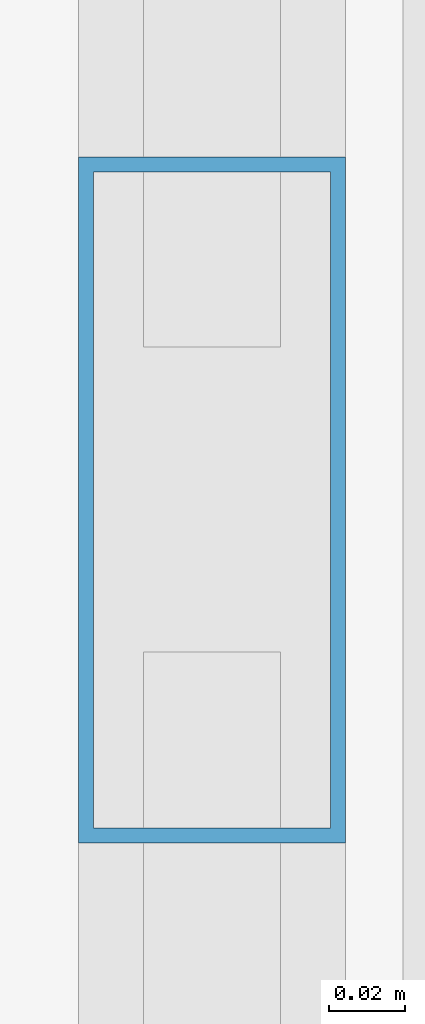
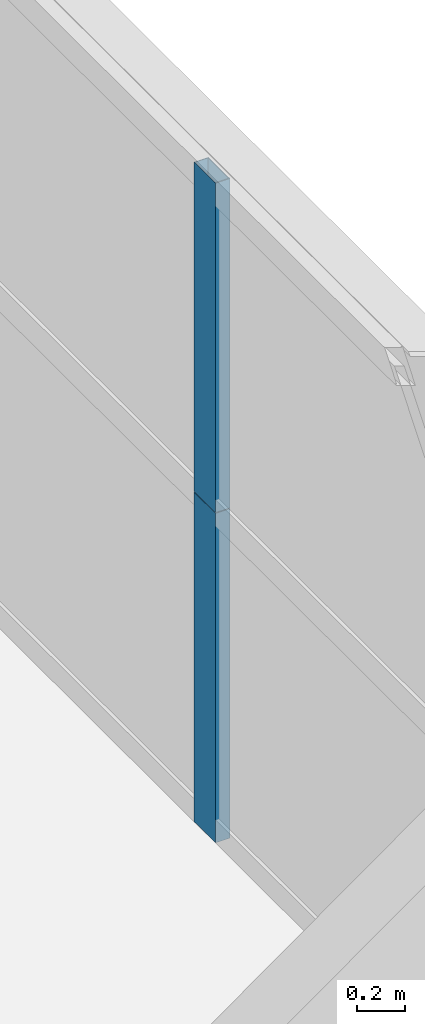
# One storey, part 32 of 43: 2 members, 1 element without a shape of its own.
"""IFC4 building model written with IfcOpenShell, lengths in metres."""

from ifc_helpers import new_model, si_unit, direction, frame, origin, origin_2d, place, context, subcontext, project, spatial, hollow_rectangle, extrude, source, transform, mapped, material, layer, layer_set, material_profile, profile_set, type_object, element, aggregate, save


model = new_model("IFC4")

# Units and contexts
model_context = context("Model", 3, precision=1e-05, world=origin(), true_north=direction((0.0, 1.0)))
body_context = subcontext(model_context, "Body", "Model", "MODEL_VIEW")
ifc_project = project(units=[si_unit("LENGTHUNIT", "METRE"), si_unit("AREAUNIT", "SQUARE_METRE"), si_unit("VOLUMEUNIT", "CUBIC_METRE"), si_unit("PLANEANGLEUNIT", "RADIAN"), si_unit("MASSUNIT", "GRAM", prefix="KILO"), si_unit("THERMODYNAMICTEMPERATUREUNIT", "KELVIN"), si_unit("POWERUNIT", "WATT")], contexts=[model_context])

# Site, building, storey
site_placement = place(None, origin())
site = spatial("IfcSite", under=ifc_project, at=site_placement, CompositionType="ELEMENT")
building_placement = place(site_placement, origin())
building = spatial("IfcBuilding", under=site, at=building_placement, Name="Yuzanri Waterfront Tower", CompositionType="ELEMENT")
storey_placement = place(building_placement, frame((0.0, 0.0, 64.0)))
storey = spatial("IfcBuildingStorey", under=building, at=storey_placement, Name="L16", CompositionType="ELEMENT", Elevation=64.0)

# Curtain wall, members
ifc_material_1 = material(Name="Anodized Architectural Bronze", Category="metal")
ifc_layer = layer(ifc_material_1, 0.159912109375)
ifc_layer_set = layer_set([ifc_layer], Name="Anodized Architectural Bronze")
curtain_wall_type = type_object("IfcCurtainWallType", Name="Anodized Bronze Hotel Lower-Tier Recessed Unitized Curtain Wall 8100", PredefinedType="NOTDEFINED", material=ifc_layer_set)
curtain_wall_placement = place(storey_placement, origin())
curtain_wall = element("IfcCurtainWall", 1, at=curtain_wall_placement, inside=storey, type_object=curtain_wall_type, Name="L16 Curtain Wall CW-L16-ER", PredefinedType="NOTDEFINED")
ifc_material_2 = material(Name="Anodized Architectural Bronze", Category="metal")
ifc_material_profile = material_profile(ifc_material_2, hollow_rectangle(XDim=0.070068359375, YDim=0.179931640625, WallThickness=0.00390625, at=origin_2d()), Name="CWM 70x180")
ifc_profile_set = profile_set([ifc_material_profile], Name="Anodized Architectural Bronze")
member_type = type_object("IfcMemberType", Name="Anodized Bronze Standard Curtain-Wall Mullion 70x180", PredefinedType="MULLION", material=ifc_profile_set)
shared_shape = source(origin(), body_context, "Body", "SweptSolid", [
    extrude(hollow_rectangle(XDim=0.070068359375, YDim=0.179931640625, WallThickness=0.00390625, at=origin_2d()), origin(), (0.0, 0.0, 1.0), 1.68798828125),
])
member_1_placement = place(storey_placement, frame((61.949951171875, 34.89990234375, 0.0), z_axis=(0.0, 0.0, 1.0), x_axis=(1.0, 0.0, 0.0)))
member_1 = element("IfcMember", 2, at=member_1_placement, type_object=member_type, Name="CW-L16-ER Lower Mullion 01", PredefinedType="MULLION", context=body_context, shape_type="MappedRepresentation", body=[
    mapped(shared_shape, transform((0.0, 0.0, 0.0), scale=1.0)),
])
member_2_placement = place(storey_placement, frame((61.949951171875, 34.89990234375, 1.69189453125), z_axis=(0.0, 0.0, 1.0), x_axis=(1.0, 0.0, 0.0)))
member_2 = element("IfcMember", 3, at=member_2_placement, type_object=member_type, Name="CW-L16-ER Upper Mullion 01", PredefinedType="MULLION", context=body_context, shape_type="MappedRepresentation", body=[
    mapped(shared_shape, transform((0.0, 0.0, 0.0), scale=1.0)),
])
aggregate(curtain_wall, [member_1, member_2])

save(model, "model.ifc")
